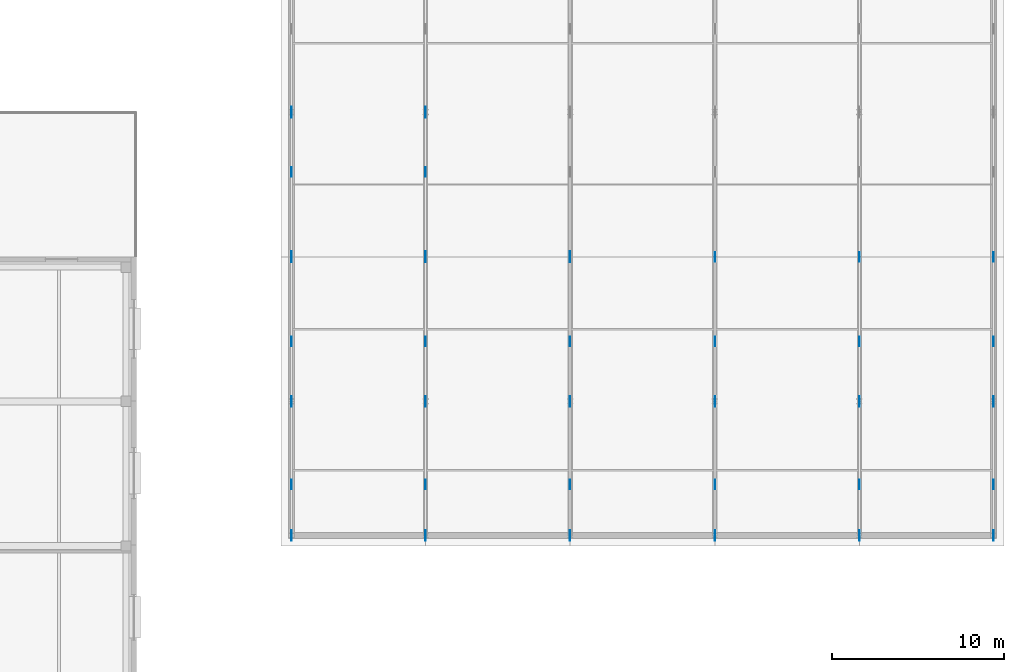
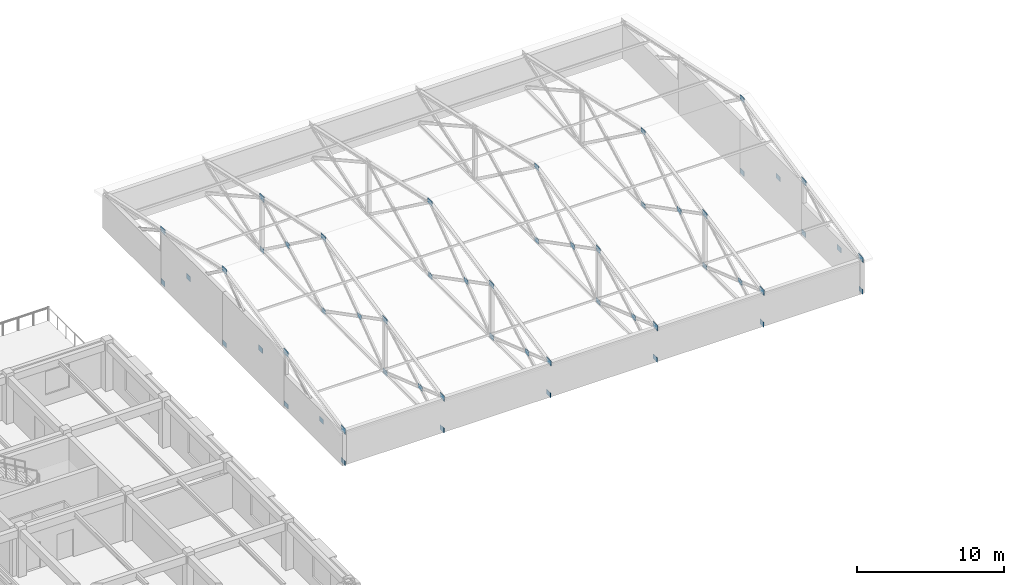
# One storey, part 100 of 123: 54 plates.
"""IFC4 building model written with IfcOpenShell, lengths in metres."""

import ifcopenshell
import ifcopenshell.guid

model = None  # the IFC model being written
_history = None  # IfcOwnerHistory: only IFC2X3 demands one
_inside = {}  # id of a spatial element -> (the spatial element, [elements in it])
_under = {}  # id of a project, library or spatial element -> (it, [spatial elements below it])
_declared = {}  # id of a project -> (the project, [libraries it declares])
_typed = {}  # id of a type object -> (the type object, [elements of that type])
_made_of = {}  # id of a material, layer set ... -> (it, [elements and type objects made of it])


def new_model(schema):
    """Start an empty IFC model of exactly this schema.

    Asked for "IFC4X3", IfcOpenShell would pick the latest addendum, in which some entities
    have other attributes; the version numbers below select the first issue.
    IFC2X3 requires an IfcOwnerHistory on every rooted entity: one is made here for all.
    """
    global model, _history
    if schema == "IFC4X3":
        model = ifcopenshell.file(schema_version=(4, 3, 0, 0))
    else:
        model = ifcopenshell.file(schema=schema)
    _inside.clear()
    _under.clear()
    _declared.clear()
    _typed.clear()
    _made_of.clear()
    _history = None
    if model.schema == "IFC2X3":
        org = make("IfcOrganization", Name="unknown")
        user = make(
            "IfcPersonAndOrganization",
            ThePerson=make("IfcPerson", FamilyName="unknown"),
            TheOrganization=org,
        )
        app = make(
            "IfcApplication",
            ApplicationDeveloper=org,
            Version="unknown",
            ApplicationFullName="unknown",
            ApplicationIdentifier="unknown",
        )
        _history = make(
            "IfcOwnerHistory",
            OwningUser=user,
            OwningApplication=app,
            ChangeAction="ADDED",
            CreationDate=0,
        )
    return model


def make(cls, **values):
    """One entity of the class cls with the attributes given. An attribute that is None is left unset."""
    return model.create_entity(
        cls, **{name: value for name, value in values.items() if value is not None}
    )


def rooted(cls, **values):
    """An entity with a GlobalId (a new one), such as an element, a storey or a relation."""
    return make(cls, GlobalId=ifcopenshell.guid.new(), OwnerHistory=_history, **values)


def si_unit(unit_type, name, prefix=None):
    """IfcSIUnit, for example si_unit("LENGTHUNIT", "METRE", prefix="MILLI")."""
    return make("IfcSIUnit", UnitType=unit_type, Prefix=prefix, Name=name)


def assignment(units):
    """IfcUnitAssignment: the units of a project."""
    return None if units is None else make("IfcUnitAssignment", Units=units)


def point(xyz):
    """IfcCartesianPoint."""
    return None if xyz is None else make("IfcCartesianPoint", Coordinates=xyz)


def direction(xyz):
    """IfcDirection."""
    return None if xyz is None else make("IfcDirection", DirectionRatios=xyz)


def frame(location, z_axis=None, x_axis=None):
    """IfcAxis2Placement3D, a coordinate frame: its origin and axes. An axis left out is left unset."""
    return make(
        "IfcAxis2Placement3D",
        Location=point(location),
        Axis=direction(z_axis),
        RefDirection=direction(x_axis),
    )


def frame_2d(location, x_axis=None):
    """IfcAxis2Placement2D, a coordinate frame in the plane: its origin and x axis."""
    return make(
        "IfcAxis2Placement2D", Location=point(location), RefDirection=direction(x_axis)
    )


def origin():
    """The frame at (0, 0, 0) with its axes left unset."""
    return frame((0.0, 0.0, 0.0))


def origin_2d():
    """The frame at (0, 0) in the plane with its x axis left unset."""
    return frame_2d((0.0, 0.0))


def place(relative_to, where):
    """IfcLocalPlacement: puts the frame where relative to a parent placement (None: the world)."""
    return make(
        "IfcLocalPlacement", PlacementRelTo=relative_to, RelativePlacement=where
    )


def context(
    kind, dimensions, precision=None, world=None, true_north=None, identifier=None
):
    """IfcGeometricRepresentationContext, for example the 3D "Model" context."""
    return make(
        "IfcGeometricRepresentationContext",
        ContextIdentifier=identifier,
        ContextType=kind,
        CoordinateSpaceDimension=dimensions,
        Precision=precision,
        WorldCoordinateSystem=world,
        TrueNorth=true_north,
    )


def subcontext(parent, identifier, kind, view, scale=None):
    """IfcGeometricRepresentationSubContext, for example "Body" below "Model"."""
    return make(
        "IfcGeometricRepresentationSubContext",
        ContextIdentifier=identifier,
        ContextType=kind,
        ParentContext=parent,
        TargetScale=scale,
        TargetView=view,
    )


def project(units=None, contexts=None):
    """IfcProject with its units and contexts."""
    return rooted(
        "IfcProject",
        Name="project",
        RepresentationContexts=contexts,
        UnitsInContext=assignment(units),
    )


def spatial(cls, under=None, at=None, **own):
    """A site, building, storey or space (cls), placed at a placement, below another one or the project."""
    s = rooted(cls, ObjectPlacement=at, **own)
    if under is not None:
        _under.setdefault(under.id(), (under, []))[1].append(s)
    return s


def profile(cls, at=None, kind="AREA", **sizes):
    """A parametric profile (cls). Its sizes go by their IFC names, for example OverallWidth=200.0."""
    return make(cls, ProfileType=kind, Position=at, **sizes)


def rectangle(**sizes):
    """IfcRectangleProfileDef."""
    return profile("IfcRectangleProfileDef", **sizes)


def extrude(swept, where, along, depth):
    """IfcExtrudedAreaSolid: the profile swept, set in the frame where, extruded along a direction by depth."""
    return make(
        "IfcExtrudedAreaSolid",
        SweptArea=swept,
        Position=where,
        ExtrudedDirection=direction(along),
        Depth=depth,
    )


def shape(context_of_items, identifier, shape_type, items):
    """IfcShapeRepresentation: the items that make up one representation, for example the "Body"."""
    return make(
        "IfcShapeRepresentation",
        ContextOfItems=context_of_items,
        RepresentationIdentifier=identifier,
        RepresentationType=shape_type,
        Items=items,
    )


def material(Name=None, Category=None):
    """IfcMaterial."""
    return make("IfcMaterial", Name=Name, Category=Category)


def layer(
    of_material, thickness, ventilated=None, Name=None, Category=None, Priority=None
):
    """IfcMaterialLayer: one layer of a wall or slab, of a material (None: an air gap)."""
    return make(
        "IfcMaterialLayer",
        Material=of_material,
        LayerThickness=thickness,
        IsVentilated=ventilated,
        Name=Name,
        Category=Category,
        Priority=Priority,
    )


def layer_set(layers, Name=None):
    """IfcMaterialLayerSet."""
    return make("IfcMaterialLayerSet", MaterialLayers=layers, LayerSetName=Name)


def made_of(thing, what):
    """Note that an element or type object is made of a material, layer set ...; save() writes the relation."""
    if what is not None:
        _made_of.setdefault(what.id(), (what, []))[1].append(thing)
    return thing


def type_object(cls, material=None, **own):
    """A type object (cls), such as IfcWallType, which elements share."""
    return made_of(rooted(cls, **own), material)


def element(
    cls,
    number,
    at=None,
    inside=None,
    cuts=None,
    type_object=None,
    material=None,
    context=None,
    identifier="Body",
    shape_type=None,
    held_by="IfcProductDefinitionShape",
    body=None,
    shapes=None,
    **own,
):
    """One element of the class cls, such as IfcWall. Its Tag is "e" and its number.

    at: its placement. inside: the storey or other place that contains it. cuts: it is an
    opening in that element (IfcRelVoidsElement). A single representation is given by context,
    identifier, shape_type and body (its items); several are given by shapes. held_by: the class
    of the entity that holds the representations. save() writes the other relations.
    """
    e = rooted(cls, Tag="e%d" % number, ObjectPlacement=at, **own)
    if body is not None:
        shapes = [shape(context, identifier, shape_type, body)]
    if shapes is not None:
        e.Representation = make(held_by, Representations=shapes)
    if inside is not None:
        _inside.setdefault(inside.id(), (inside, []))[1].append(e)
    if cuts is not None:
        rooted(
            "IfcRelVoidsElement", RelatingBuildingElement=cuts, RelatedOpeningElement=e
        )
    if type_object is not None:
        _typed.setdefault(type_object.id(), (type_object, []))[1].append(e)
    return made_of(e, material)


def aggregate(whole, parts):
    """IfcRelAggregates: a whole, such as a stair, and the parts it consists of."""
    return rooted("IfcRelAggregates", RelatingObject=whole, RelatedObjects=parts)


def save(model, path):
    """Write the relations noted so far, then the file.

    IfcRelAggregates (storeys below a building ...), IfcRelContainedInSpatialStructure (elements
    in a storey), IfcRelDefinesByType, IfcRelAssociatesMaterial and IfcRelDeclares: one each for
    every whole, place, type object, material and project.
    """
    for whole, parts in _under.values():
        aggregate(whole, parts)
    for where, things in _inside.values():
        rooted(
            "IfcRelContainedInSpatialStructure",
            RelatedElements=things,
            RelatingStructure=where,
        )
    for kind, things in _typed.values():
        rooted("IfcRelDefinesByType", RelatedObjects=things, RelatingType=kind)
    for what, things in _made_of.values():
        rooted("IfcRelAssociatesMaterial", RelatedObjects=things, RelatingMaterial=what)
    for by, libraries in _declared.values():
        rooted("IfcRelDeclares", RelatingContext=by, RelatedDefinitions=libraries)
    model.write(path)


model = new_model("IFC4")

# Units and contexts
model_context = context("Model", 3, precision=1e-05, world=origin(), true_north=direction((0.0, 1.0)))
body_context = subcontext(model_context, "Body", "Model", "MODEL_VIEW")
ifc_project = project(units=[si_unit("LENGTHUNIT", "METRE"), si_unit("AREAUNIT", "SQUARE_METRE"), si_unit("VOLUMEUNIT", "CUBIC_METRE"), si_unit("PLANEANGLEUNIT", "RADIAN"), si_unit("MASSUNIT", "GRAM", prefix="KILO")], contexts=[model_context])

# Site, building, storey
site_placement = place(None, origin())
site = spatial("IfcSite", under=ifc_project, at=site_placement, CompositionType="ELEMENT")
building_placement = place(site_placement, origin())
building = spatial("IfcBuilding", under=site, at=building_placement, Name="Zayran Congress Hotel", CompositionType="ELEMENT")
storey_placement = place(building_placement, frame((0.0, 0.0, 15.0)))
storey = spatial("IfcBuildingStorey", under=building, at=storey_placement, Name="L03", CompositionType="ELEMENT", Elevation=15.0)

# Plates
ifc_material = material(Name="Steel S355", Category="steel")
ifc_layer_1 = layer(ifc_material, 0.02490234375)
ifc_layer_set_1 = layer_set([ifc_layer_1], Name="Steel S355")
plate_type_1 = type_object("IfcPlateType", Name="TP-GS-01", PredefinedType="USERDEFINED", material=ifc_layer_set_1)
for number, where, z_axis, x_axis, name in (
    (1, (143.39990234375, 85.0, -0.199951171875), (0.0, 0.0, 1.0), (0.0, 1.0, 0.0), "V2 Truss Node Gusset Plate 89"),
    (2, (143.39990234375, 92.800048828125, -0.199951171875), (0.0, 0.0, 1.0), (0.0, 1.0, 0.0), "V2 Truss Node Gusset Plate 91"),
    (3, (143.39990234375, 101.199951171875, -0.199951171875), (0.0, 0.0, 1.0), (0.0, 1.0, 0.0), "V2 Truss Node Gusset Plate 93"),
    (4, (143.39990234375, 109.60009765625, -0.199951171875), (0.0, 0.0, 1.0), (0.0, 1.0, 0.0), "V2 Truss Node Gusset Plate 94"),
    (5, (143.39990234375, 87.97802734375, 1.455322265625), (0.0, 0.0, 1.0), (0.0, 1.0, 0.0), "V2 Brace Crossing Gusset Plate 98"),
    (6, (143.39990234375, 96.28271484375, 2.337890625), (0.0, 0.0, 1.0), (0.0, 1.0, 0.0), "V2 Brace Crossing Gusset Plate 99"),
    (7, (143.39990234375, 106.1171875, 2.337890625), (0.0, 0.0, 1.0), (0.0, 1.0, 0.0), "V2 Brace Crossing Gusset Plate 100"),
    (8, (151.199951171875, 85.0, -0.199951171875), (0.0, 0.0, 1.0), (0.0, 1.0, 0.0), "V2 Truss Node Gusset Plate 102"),
    (9, (151.199951171875, 92.800048828125, -0.199951171875), (0.0, 0.0, 1.0), (0.0, 1.0, 0.0), "V2 Truss Node Gusset Plate 104"),
    (10, (151.199951171875, 101.199951171875, -0.199951171875), (0.0, 0.0, 1.0), (0.0, 1.0, 0.0), "V2 Truss Node Gusset Plate 106"),
    (11, (151.199951171875, 109.60009765625, -0.199951171875), (0.0, 0.0, 1.0), (0.0, 1.0, 0.0), "V2 Truss Node Gusset Plate 107"),
    (12, (151.199951171875, 87.97802734375, 1.455322265625), (0.0, 0.0, 1.0), (0.0, 1.0, 0.0), "V2 Brace Crossing Gusset Plate 111"),
    (13, (151.199951171875, 96.28271484375, 2.337890625), (0.0, 0.0, 1.0), (0.0, 1.0, 0.0), "V2 Brace Crossing Gusset Plate 112"),
    (14, (151.199951171875, 106.1171875, 2.337890625), (0.0, 0.0, 1.0), (0.0, 1.0, 0.0), "V2 Brace Crossing Gusset Plate 113"),
    (15, (159.60009765625, 85.0, -0.199951171875), (0.0, 0.0, 1.0), (0.0, 1.0, 0.0), "V2 Truss Node Gusset Plate 115"),
    (16, (159.60009765625, 92.800048828125, -0.199951171875), (0.0, 0.0, 1.0), (0.0, 1.0, 0.0), "V2 Truss Node Gusset Plate 117"),
    (17, (159.60009765625, 101.199951171875, -0.199951171875), (0.0, 0.0, 1.0), (0.0, 1.0, 0.0), "V2 Truss Node Gusset Plate 119"),
    (18, (159.60009765625, 87.97802734375, 1.455322265625), (0.0, 0.0, 1.0), (0.0, 1.0, 0.0), "V2 Brace Crossing Gusset Plate 124"),
    (19, (159.60009765625, 96.28271484375, 2.337890625), (0.0, 0.0, 1.0), (0.0, 1.0, 0.0), "V2 Brace Crossing Gusset Plate 125"),
    (20, (168.0, 85.0, -0.199951171875), (0.0, 0.0, 1.0), (0.0, 1.0, 0.0), "V2 Truss Node Gusset Plate 128"),
    (21, (168.0, 92.800048828125, -0.199951171875), (0.0, 0.0, 1.0), (0.0, 1.0, 0.0), "V2 Truss Node Gusset Plate 130"),
    (22, (168.0, 101.199951171875, -0.199951171875), (0.0, 0.0, 1.0), (0.0, 1.0, 0.0), "V2 Truss Node Gusset Plate 132"),
    (23, (168.0, 87.97802734375, 1.455322265625), (0.0, 0.0, 1.0), (0.0, 1.0, 0.0), "V2 Brace Crossing Gusset Plate 137"),
    (24, (168.0, 96.28271484375, 2.337890625), (0.0, 0.0, 1.0), (0.0, 1.0, 0.0), "V2 Brace Crossing Gusset Plate 138"),
    (25, (168.0, 101.199951171875, 5.921142578125), (0.0, 0.0, 1.0), (0.0, 1.0, 0.0), "PLT-GS-V2-168"),
    (26, (176.39990234375, 85.0, -0.199951171875), (0.0, 0.0, 1.0), (0.0, 1.0, 0.0), "V2 Truss Node Gusset Plate 141"),
    (27, (176.39990234375, 92.800048828125, -0.199951171875), (0.0, 0.0, 1.0), (0.0, 1.0, 0.0), "V2 Truss Node Gusset Plate 143"),
    (28, (176.39990234375, 101.199951171875, -0.199951171875), (0.0, 0.0, 1.0), (0.0, 1.0, 0.0), "V2 Truss Node Gusset Plate 145"),
    (29, (176.39990234375, 87.97802734375, 1.455322265625), (0.0, 0.0, 1.0), (0.0, 1.0, 0.0), "V2 Brace Crossing Gusset Plate 150"),
    (30, (176.39990234375, 96.28271484375, 2.337890625), (0.0, 0.0, 1.0), (0.0, 1.0, 0.0), "V2 Brace Crossing Gusset Plate 151"),
    (31, (176.39990234375, 101.199951171875, 5.921142578125), (0.0, 0.0, 1.0), (0.0, 1.0, 0.0), "PLT-GS-V2-176"),
    (32, (184.199951171875, 85.0, -0.199951171875), (0.0, 0.0, 1.0), (0.0, 1.0, 0.0), "V2 Truss Node Gusset Plate 154"),
    (33, (184.199951171875, 92.800048828125, -0.199951171875), (0.0, 0.0, 1.0), (0.0, 1.0, 0.0), "V2 Truss Node Gusset Plate 156"),
    (34, (184.199951171875, 101.199951171875, -0.199951171875), (0.0, 0.0, 1.0), (0.0, 1.0, 0.0), "V2 Truss Node Gusset Plate 158"),
    (35, (184.199951171875, 87.97802734375, 1.455322265625), (0.0, 0.0, 1.0), (0.0, 1.0, 0.0), "V2 Brace Crossing Gusset Plate 163"),
    (36, (184.199951171875, 96.28271484375, 2.337890625), (0.0, 0.0, 1.0), (0.0, 1.0, 0.0), "V2 Brace Crossing Gusset Plate 164"),
    (37, (184.199951171875, 101.199951171875, 5.921142578125), (0.0, 0.0, 1.0), (0.0, 1.0, 0.0), "PLT-GS-V2-184"),
):
    element("IfcPlate", number, at=place(storey_placement, frame(where, z_axis=z_axis, x_axis=x_axis)), inside=storey, type_object=plate_type_1, Name=name, ObjectType="GUSSET_PLATE", PredefinedType="USERDEFINED", context=body_context, shape_type="SweptSolid", body=[
        extrude(rectangle(XDim=0.550048828125, YDim=0.02490234375, at=origin_2d()), origin(), (0.0, 0.0, 1.0), 0.39990234375),
    ])
ifc_layer_2 = layer(ifc_material, 0.030029296875)
ifc_layer_set_2 = layer_set([ifc_layer_2], Name="Steel S355")
plate_type_2 = type_object("IfcPlateType", Name="TP-GS-03", PredefinedType="USERDEFINED", material=ifc_layer_set_2)
for number, where, z_axis, x_axis, name in (
    (38, (143.39990234375, 85.0, 2.45751953125), (0.0, 0.0, 1.0), (0.0, 1.0, 0.0), "V2 Truss Node Gusset Plate 90"),
    (39, (143.39990234375, 92.800048828125, 4.115478515625), (0.0, 0.0, 1.0), (0.0, 1.0, 0.0), "V2 Truss Node Gusset Plate 92"),
    (40, (143.39990234375, 109.60009765625, 4.115478515625), (0.0, 0.0, 1.0), (0.0, 1.0, 0.0), "V2 Truss Node Gusset Plate 95"),
    (41, (143.39990234375, 101.199951171875, 5.901123046875), (0.0, 0.0, 1.0), (0.0, 1.0, 0.0), "PLT-GS-V2-143"),
    (42, (151.199951171875, 85.0, 2.45751953125), (0.0, 0.0, 1.0), (0.0, 1.0, 0.0), "V2 Truss Node Gusset Plate 103"),
    (43, (151.199951171875, 92.800048828125, 4.115478515625), (0.0, 0.0, 1.0), (0.0, 1.0, 0.0), "V2 Truss Node Gusset Plate 105"),
    (44, (151.199951171875, 109.60009765625, 4.115478515625), (0.0, 0.0, 1.0), (0.0, 1.0, 0.0), "V2 Truss Node Gusset Plate 108"),
    (45, (151.199951171875, 101.199951171875, 5.901123046875), (0.0, 0.0, 1.0), (0.0, 1.0, 0.0), "PLT-GS-V2-151"),
    (46, (159.60009765625, 85.0, 2.45751953125), (0.0, 0.0, 1.0), (0.0, 1.0, 0.0), "V2 Truss Node Gusset Plate 116"),
    (47, (159.60009765625, 92.800048828125, 4.115478515625), (0.0, 0.0, 1.0), (0.0, 1.0, 0.0), "V2 Truss Node Gusset Plate 118"),
    (48, (159.60009765625, 101.199951171875, 5.901123046875), (0.0, 0.0, 1.0), (0.0, 1.0, 0.0), "PLT-GS-V2-159"),
    (49, (168.0, 85.0, 2.45751953125), (0.0, 0.0, 1.0), (0.0, 1.0, 0.0), "V2 Truss Node Gusset Plate 129"),
    (50, (168.0, 92.800048828125, 4.115478515625), (0.0, 0.0, 1.0), (0.0, 1.0, 0.0), "V2 Truss Node Gusset Plate 131"),
    (51, (176.39990234375, 85.0, 2.45751953125), (0.0, 0.0, 1.0), (0.0, 1.0, 0.0), "V2 Truss Node Gusset Plate 142"),
    (52, (176.39990234375, 92.800048828125, 4.115478515625), (0.0, 0.0, 1.0), (0.0, 1.0, 0.0), "V2 Truss Node Gusset Plate 144"),
    (53, (184.199951171875, 85.0, 2.45751953125), (0.0, 0.0, 1.0), (0.0, 1.0, 0.0), "V2 Truss Node Gusset Plate 155"),
    (54, (184.199951171875, 92.800048828125, 4.115478515625), (0.0, 0.0, 1.0), (0.0, 1.0, 0.0), "V2 Truss Node Gusset Plate 157"),
):
    element("IfcPlate", number, at=place(storey_placement, frame(where, z_axis=z_axis, x_axis=x_axis)), inside=storey, type_object=plate_type_2, Name=name, ObjectType="GUSSET_PLATE", PredefinedType="USERDEFINED", context=body_context, shape_type="SweptSolid", body=[
        extrude(rectangle(XDim=0.6201171875, YDim=0.030029296875, at=origin_2d()), origin(), (0.0, 0.0, 1.0), 0.43994140625),
    ])

save(model, "model.ifc")
